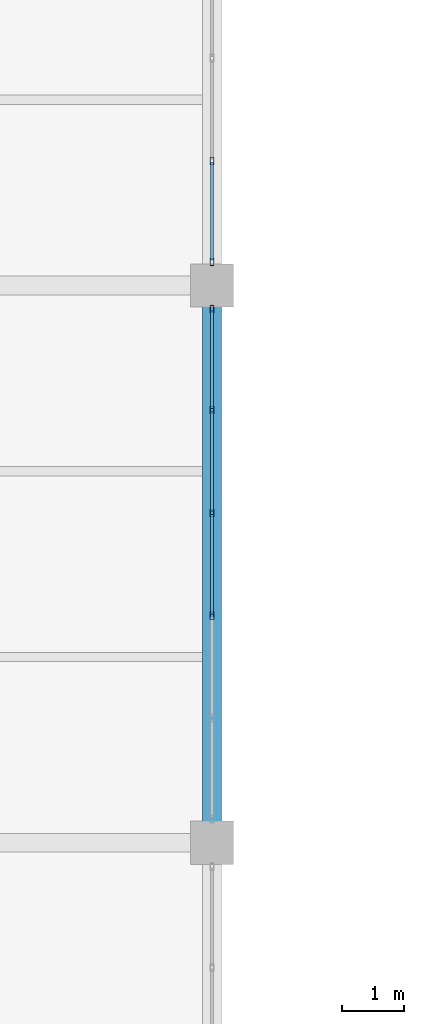
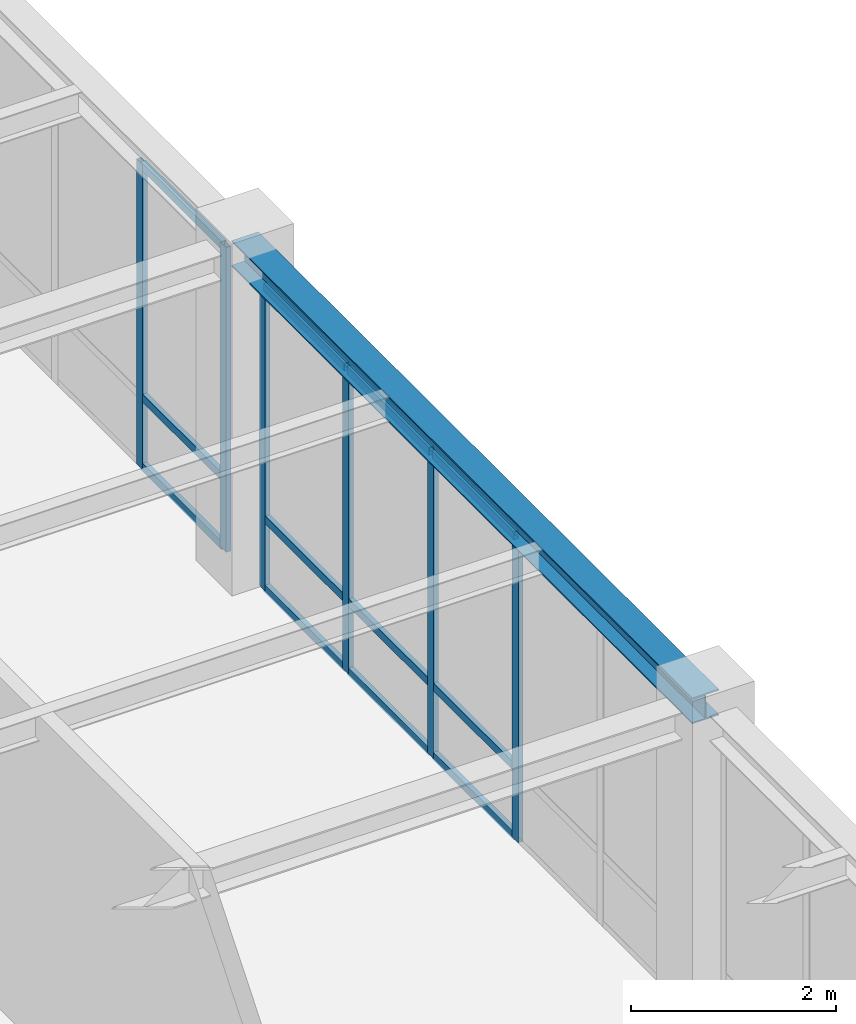
# One storey, part 42 of 108: 18 members, 1 beam, 2 elements without a shape of their own.
"""IFC4 building model written with IfcOpenShell, lengths in metres."""

from ifc_helpers import new_model, si_unit, direction, frame, origin, origin_2d, place, context, subcontext, project, spatial, hollow_rectangle, i_section, extrude, material, material_profile, profile_set, type_object, element, aggregate, save


model = new_model("IFC4")

# Units and contexts
model_context = context("Model", 3, precision=1e-05, world=origin(), true_north=direction((0.0, 1.0)))
body_context = subcontext(model_context, "Body", "Model", "MODEL_VIEW")
ifc_project = project(units=[si_unit("LENGTHUNIT", "METRE"), si_unit("AREAUNIT", "SQUARE_METRE"), si_unit("VOLUMEUNIT", "CUBIC_METRE"), si_unit("PLANEANGLEUNIT", "RADIAN"), si_unit("MASSUNIT", "GRAM", prefix="KILO")], contexts=[model_context])

# Site, building, storey
site_placement = place(None, origin())
site = spatial("IfcSite", under=ifc_project, at=site_placement, CompositionType="ELEMENT")
building_placement = place(site_placement, origin())
building = spatial("IfcBuilding", under=site, at=building_placement, Name="Lykobir Media Centre", CompositionType="ELEMENT")
storey_placement = place(building_placement, frame((0.0, 0.0, 15.0)))
storey = spatial("IfcBuildingStorey", under=building, at=storey_placement, Name="L03", CompositionType="ELEMENT", Elevation=15.0)

# Beam
ifc_material_1 = material(Name="Steel S355", Category="steel")
ifc_material_profile_1 = material_profile(ifc_material_1, i_section(OverallWidth=0.300048828125, OverallDepth=0.31005859375, WebThickness=0.009033203125, FlangeThickness=0.015380859375, at=origin_2d()), Name="HEA 320")
ifc_profile_set_1 = profile_set([ifc_material_profile_1], Name="Steel S355")
beam_type = type_object("IfcBeamType", Name="BM-HEA320", PredefinedType="BEAM", material=ifc_profile_set_1)
beam_placement = place(storey_placement, frame((36.0, 36.0, 3.804931640625), z_axis=(0.0, 1.0, 0.0), x_axis=(-1.0, 0.0, 0.0)))
element("IfcBeam", 1, at=beam_placement, inside=storey, type_object=beam_type, Name="Beam BM-L03-0360-0360-0360-0450-1880", PredefinedType="BEAM", context=body_context, shape_type="SweptSolid", body=[
    extrude(i_section(OverallWidth=0.300048828125, OverallDepth=0.31005859375, WebThickness=0.009033203125, FlangeThickness=0.015380859375, at=origin_2d()), origin(), (0.0, 0.0, 1.0), 9.0),
])

# Curtain wall, members
ifc_material_2 = material(Name="Anodized Aluminium AW-6060", Category="aluminium")
curtain_wall_type = type_object("IfcCurtainWallType", Name="CW-COURT-B", PredefinedType="NOTDEFINED", material=ifc_material_2)
curtain_wall_1_placement = place(storey_placement, origin())
curtain_wall_1 = element("IfcCurtainWall", 2, at=curtain_wall_1_placement, inside=storey, type_object=curtain_wall_type, Name="Curtain wall CW2-L03-0117", PredefinedType="NOTDEFINED")
ifc_material_profile_2 = material_profile(ifc_material_2, hollow_rectangle(XDim=0.054931640625, YDim=0.1201171875, WallThickness=0.003173828125, at=origin_2d()), Name="ALU MULLION 55x120")
ifc_profile_set_2 = profile_set([ifc_material_profile_2], Name="Anodized Aluminium AW-6060")
member_type_1 = type_object("IfcMemberType", Name="CWM-120", PredefinedType="MULLION", material=ifc_profile_set_2)
member_1_placement = place(storey_placement, frame((36.0, 44.617431640625, 0.0), z_axis=(0.0, 0.0, 1.0), x_axis=(1.0, 0.0, 0.0)))
member_1 = element("IfcMember", 3, at=member_1_placement, type_object=member_type_1, Name="CW2-L03-0117 mullion 1", PredefinedType="MULLION", context=body_context, shape_type="SweptSolid", body=[
    extrude(hollow_rectangle(XDim=0.054931640625, YDim=0.1201171875, WallThickness=0.003173828125, at=origin_2d()), origin(), (0.0, 0.0, 1.0), 3.635009765625),
])
member_2_placement = place(storey_placement, frame((36.0, 42.987060546875, 0.0), z_axis=(0.0, 0.0, 1.0), x_axis=(1.0, 0.0, 0.0)))
member_2 = element("IfcMember", 4, at=member_2_placement, type_object=member_type_1, Name="CW2-L03-0117 mullion 2", PredefinedType="MULLION", context=body_context, shape_type="SweptSolid", body=[
    extrude(hollow_rectangle(XDim=0.054931640625, YDim=0.1201171875, WallThickness=0.003173828125, at=origin_2d()), origin(), (0.0, 0.0, 1.0), 3.635009765625),
])
member_3_placement = place(storey_placement, frame((36.0, 41.3291015625, 0.0), z_axis=(0.0, 0.0, 1.0), x_axis=(1.0, 0.0, 0.0)))
member_3 = element("IfcMember", 5, at=member_3_placement, type_object=member_type_1, Name="CW2-L03-0117 mullion 3", PredefinedType="MULLION", context=body_context, shape_type="SweptSolid", body=[
    extrude(hollow_rectangle(XDim=0.054931640625, YDim=0.1201171875, WallThickness=0.003173828125, at=origin_2d()), origin(), (0.0, 0.0, 1.0), 3.635009765625),
])
member_4_placement = place(storey_placement, frame((36.0, 39.6708984375, 0.0), z_axis=(0.0, 0.0, 1.0), x_axis=(1.0, 0.0, 0.0)))
member_4 = element("IfcMember", 6, at=member_4_placement, type_object=member_type_1, Name="CW2-L03-0117 mullion 4", PredefinedType="MULLION", context=body_context, shape_type="SweptSolid", body=[
    extrude(hollow_rectangle(XDim=0.054931640625, YDim=0.1201171875, WallThickness=0.003173828125, at=origin_2d()), origin(), (0.0, 0.0, 1.0), 3.635009765625),
])

curtain_wall_2_placement = place(storey_placement, origin())
curtain_wall_2 = element("IfcCurtainWall", 7, at=curtain_wall_2_placement, inside=storey, type_object=curtain_wall_type, Name="Curtain wall CW2-L03-0118", PredefinedType="NOTDEFINED")
member_5_placement = place(storey_placement, frame((36.0, 47.012939453125, 0.0), z_axis=(0.0, 0.0, 1.0), x_axis=(1.0, 0.0, 0.0)))
member_5 = element("IfcMember", 8, at=member_5_placement, type_object=member_type_1, Name="CW2-L03-0118 mullion 5", PredefinedType="MULLION", context=body_context, shape_type="SweptSolid", body=[
    extrude(hollow_rectangle(XDim=0.054931640625, YDim=0.1201171875, WallThickness=0.003173828125, at=origin_2d()), origin(), (0.0, 0.0, 1.0), 3.635009765625),
])
member_6_placement = place(storey_placement, frame((36.0, 45.382568359375, 0.0), z_axis=(0.0, 0.0, 1.0), x_axis=(1.0, 0.0, 0.0)))
member_6 = element("IfcMember", 9, at=member_6_placement, type_object=member_type_1, Name="CW2-L03-0118 mullion 6", PredefinedType="MULLION", context=body_context, shape_type="SweptSolid", body=[
    extrude(hollow_rectangle(XDim=0.054931640625, YDim=0.1201171875, WallThickness=0.003173828125, at=origin_2d()), origin(), (0.0, 0.0, 1.0), 3.635009765625),
])

# Member
ifc_material_profile_3 = material_profile(ifc_material_2, hollow_rectangle(XDim=0.054931640625, YDim=0.094970703125, WallThickness=0.0029296875, at=origin_2d()), Name="ALU TRANSOM 55x95")
ifc_profile_set_3 = profile_set([ifc_material_profile_3], Name="Anodized Aluminium AW-6060")
member_type_2 = type_object("IfcMemberType", Name="CWT-095", PredefinedType="USERDEFINED", material=ifc_profile_set_3)
member_7_placement = place(storey_placement, frame((36.0, 44.590087890625, 0.027587890625), z_axis=(0.0, -1.0, 0.0), x_axis=(1.0, 0.0, 0.0)))
member_7 = element("IfcMember", 10, at=member_7_placement, type_object=member_type_2, Name="CW2-L03-0117 transom 1.1", ObjectType="TRANSOM", PredefinedType="USERDEFINED", context=body_context, shape_type="SweptSolid", body=[
    extrude(hollow_rectangle(XDim=0.054931640625, YDim=0.094970703125, WallThickness=0.0029296875, at=origin_2d()), origin(), (0.0, 0.0, 1.0), 1.57568359375),
])

member_8_placement = place(storey_placement, frame((36.0, 44.590087890625, 0.85009765625), z_axis=(0.0, -1.0, 0.0), x_axis=(1.0, 0.0, 0.0)))
member_8 = element("IfcMember", 11, at=member_8_placement, type_object=member_type_2, Name="CW2-L03-0117 transom 1.2", ObjectType="TRANSOM", PredefinedType="USERDEFINED", context=body_context, shape_type="SweptSolid", body=[
    extrude(hollow_rectangle(XDim=0.054931640625, YDim=0.094970703125, WallThickness=0.0029296875, at=origin_2d()), origin(), (0.0, 0.0, 1.0), 1.57568359375),
])

member_9_placement = place(storey_placement, frame((36.0, 44.590087890625, 3.607421875), z_axis=(0.0, -1.0, 0.0), x_axis=(1.0, 0.0, 0.0)))
member_9 = element("IfcMember", 12, at=member_9_placement, type_object=member_type_2, Name="CW2-L03-0117 transom 1.3", ObjectType="TRANSOM", PredefinedType="USERDEFINED", context=body_context, shape_type="SweptSolid", body=[
    extrude(hollow_rectangle(XDim=0.054931640625, YDim=0.094970703125, WallThickness=0.0029296875, at=origin_2d()), origin(), (0.0, 0.0, 1.0), 1.57568359375),
])

member_10_placement = place(storey_placement, frame((36.0, 42.95947265625, 0.027587890625), z_axis=(0.0, -1.0, 0.0), x_axis=(1.0, 0.0, 0.0)))
member_10 = element("IfcMember", 13, at=member_10_placement, type_object=member_type_2, Name="CW2-L03-0117 transom 2.1", ObjectType="TRANSOM", PredefinedType="USERDEFINED", context=body_context, shape_type="SweptSolid", body=[
    extrude(hollow_rectangle(XDim=0.054931640625, YDim=0.094970703125, WallThickness=0.0029296875, at=origin_2d()), origin(), (0.0, 0.0, 1.0), 1.60302734375),
])

member_11_placement = place(storey_placement, frame((36.0, 42.95947265625, 0.85009765625), z_axis=(0.0, -1.0, 0.0), x_axis=(1.0, 0.0, 0.0)))
member_11 = element("IfcMember", 14, at=member_11_placement, type_object=member_type_2, Name="CW2-L03-0117 transom 2.2", ObjectType="TRANSOM", PredefinedType="USERDEFINED", context=body_context, shape_type="SweptSolid", body=[
    extrude(hollow_rectangle(XDim=0.054931640625, YDim=0.094970703125, WallThickness=0.0029296875, at=origin_2d()), origin(), (0.0, 0.0, 1.0), 1.60302734375),
])

member_12_placement = place(storey_placement, frame((36.0, 42.95947265625, 3.607421875), z_axis=(0.0, -1.0, 0.0), x_axis=(1.0, 0.0, 0.0)))
member_12 = element("IfcMember", 15, at=member_12_placement, type_object=member_type_2, Name="CW2-L03-0117 transom 2.3", ObjectType="TRANSOM", PredefinedType="USERDEFINED", context=body_context, shape_type="SweptSolid", body=[
    extrude(hollow_rectangle(XDim=0.054931640625, YDim=0.094970703125, WallThickness=0.0029296875, at=origin_2d()), origin(), (0.0, 0.0, 1.0), 1.60302734375),
])

member_13_placement = place(storey_placement, frame((36.0, 41.301513671875, 0.027587890625), z_axis=(0.0, -1.0, 0.0), x_axis=(1.0, 0.0, 0.0)))
member_13 = element("IfcMember", 16, at=member_13_placement, type_object=member_type_2, Name="CW2-L03-0117 transom 3.1", ObjectType="TRANSOM", PredefinedType="USERDEFINED", context=body_context, shape_type="SweptSolid", body=[
    extrude(hollow_rectangle(XDim=0.054931640625, YDim=0.094970703125, WallThickness=0.0029296875, at=origin_2d()), origin(), (0.0, 0.0, 1.0), 1.60302734375),
])

member_14_placement = place(storey_placement, frame((36.0, 41.301513671875, 0.85009765625), z_axis=(0.0, -1.0, 0.0), x_axis=(1.0, 0.0, 0.0)))
member_14 = element("IfcMember", 17, at=member_14_placement, type_object=member_type_2, Name="CW2-L03-0117 transom 3.2", ObjectType="TRANSOM", PredefinedType="USERDEFINED", context=body_context, shape_type="SweptSolid", body=[
    extrude(hollow_rectangle(XDim=0.054931640625, YDim=0.094970703125, WallThickness=0.0029296875, at=origin_2d()), origin(), (0.0, 0.0, 1.0), 1.60302734375),
])

member_15_placement = place(storey_placement, frame((36.0, 41.301513671875, 3.607421875), z_axis=(0.0, -1.0, 0.0), x_axis=(1.0, 0.0, 0.0)))
member_15 = element("IfcMember", 18, at=member_15_placement, type_object=member_type_2, Name="CW2-L03-0117 transom 3.3", ObjectType="TRANSOM", PredefinedType="USERDEFINED", context=body_context, shape_type="SweptSolid", body=[
    extrude(hollow_rectangle(XDim=0.054931640625, YDim=0.094970703125, WallThickness=0.0029296875, at=origin_2d()), origin(), (0.0, 0.0, 1.0), 1.60302734375),
])

aggregate(curtain_wall_1, [member_1, member_2, member_3, member_4, member_7, member_8, member_9, member_10, member_11, member_12, member_13, member_14, member_15])

member_16_placement = place(storey_placement, frame((36.0, 46.985595703125, 0.027587890625), z_axis=(0.0, -1.0, 0.0), x_axis=(1.0, 0.0, 0.0)))
member_16 = element("IfcMember", 19, at=member_16_placement, type_object=member_type_2, Name="CW2-L03-0118 transom 5.1", ObjectType="TRANSOM", PredefinedType="USERDEFINED", context=body_context, shape_type="SweptSolid", body=[
    extrude(hollow_rectangle(XDim=0.054931640625, YDim=0.094970703125, WallThickness=0.0029296875, at=origin_2d()), origin(), (0.0, 0.0, 1.0), 1.57568359375),
])

member_17_placement = place(storey_placement, frame((36.0, 46.985595703125, 0.85009765625), z_axis=(0.0, -1.0, 0.0), x_axis=(1.0, 0.0, 0.0)))
member_17 = element("IfcMember", 20, at=member_17_placement, type_object=member_type_2, Name="CW2-L03-0118 transom 5.2", ObjectType="TRANSOM", PredefinedType="USERDEFINED", context=body_context, shape_type="SweptSolid", body=[
    extrude(hollow_rectangle(XDim=0.054931640625, YDim=0.094970703125, WallThickness=0.0029296875, at=origin_2d()), origin(), (0.0, 0.0, 1.0), 1.57568359375),
])

member_18_placement = place(storey_placement, frame((36.0, 46.985595703125, 3.607421875), z_axis=(0.0, -1.0, 0.0), x_axis=(1.0, 0.0, 0.0)))
member_18 = element("IfcMember", 21, at=member_18_placement, type_object=member_type_2, Name="CW2-L03-0118 transom 5.3", ObjectType="TRANSOM", PredefinedType="USERDEFINED", context=body_context, shape_type="SweptSolid", body=[
    extrude(hollow_rectangle(XDim=0.054931640625, YDim=0.094970703125, WallThickness=0.0029296875, at=origin_2d()), origin(), (0.0, 0.0, 1.0), 1.57568359375),
])

aggregate(curtain_wall_2, [member_5, member_6, member_16, member_17, member_18])

save(model, "model.ifc")
